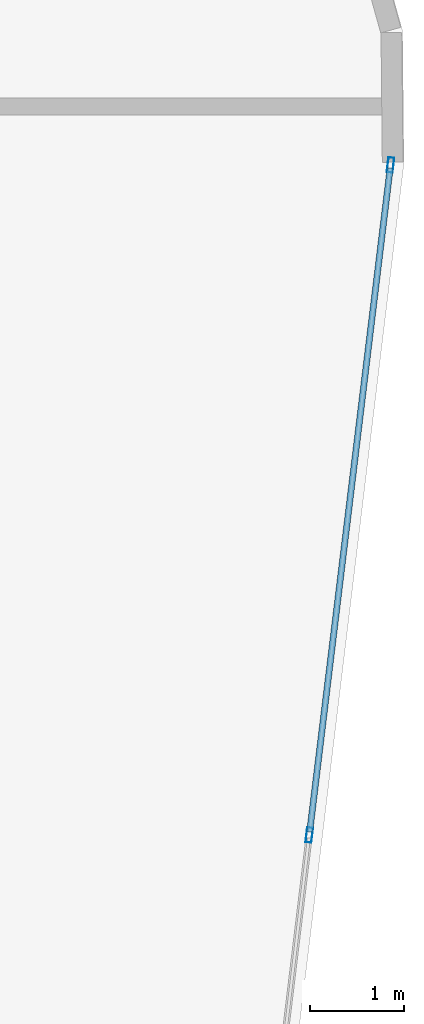
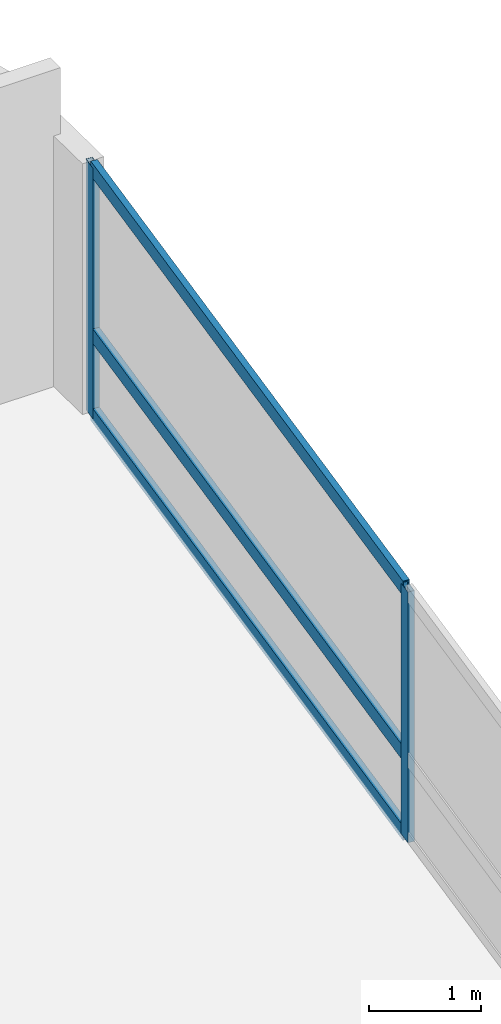
# One storey, part 18 of 26: 5 members, 1 element without a shape of its own.
"""IFC4 building model written with IfcOpenShell, lengths in metres."""

import ifcopenshell
import ifcopenshell.guid

model = None  # the IFC model being written
_history = None  # IfcOwnerHistory: only IFC2X3 demands one
_inside = {}  # id of a spatial element -> (the spatial element, [elements in it])
_under = {}  # id of a project, library or spatial element -> (it, [spatial elements below it])
_declared = {}  # id of a project -> (the project, [libraries it declares])
_typed = {}  # id of a type object -> (the type object, [elements of that type])
_made_of = {}  # id of a material, layer set ... -> (it, [elements and type objects made of it])


def new_model(schema):
    """Start an empty IFC model of exactly this schema.

    Asked for "IFC4X3", IfcOpenShell would pick the latest addendum, in which some entities
    have other attributes; the version numbers below select the first issue.
    IFC2X3 requires an IfcOwnerHistory on every rooted entity: one is made here for all.
    """
    global model, _history
    if schema == "IFC4X3":
        model = ifcopenshell.file(schema_version=(4, 3, 0, 0))
    else:
        model = ifcopenshell.file(schema=schema)
    _inside.clear()
    _under.clear()
    _declared.clear()
    _typed.clear()
    _made_of.clear()
    _history = None
    if model.schema == "IFC2X3":
        org = make("IfcOrganization", Name="unknown")
        user = make(
            "IfcPersonAndOrganization",
            ThePerson=make("IfcPerson", FamilyName="unknown"),
            TheOrganization=org,
        )
        app = make(
            "IfcApplication",
            ApplicationDeveloper=org,
            Version="unknown",
            ApplicationFullName="unknown",
            ApplicationIdentifier="unknown",
        )
        _history = make(
            "IfcOwnerHistory",
            OwningUser=user,
            OwningApplication=app,
            ChangeAction="ADDED",
            CreationDate=0,
        )
    return model


def make(cls, **values):
    """One entity of the class cls with the attributes given. An attribute that is None is left unset."""
    return model.create_entity(
        cls, **{name: value for name, value in values.items() if value is not None}
    )


def rooted(cls, **values):
    """An entity with a GlobalId (a new one), such as an element, a storey or a relation."""
    return make(cls, GlobalId=ifcopenshell.guid.new(), OwnerHistory=_history, **values)


def si_unit(unit_type, name, prefix=None):
    """IfcSIUnit, for example si_unit("LENGTHUNIT", "METRE", prefix="MILLI")."""
    return make("IfcSIUnit", UnitType=unit_type, Prefix=prefix, Name=name)


def assignment(units):
    """IfcUnitAssignment: the units of a project."""
    return None if units is None else make("IfcUnitAssignment", Units=units)


def point(xyz):
    """IfcCartesianPoint."""
    return None if xyz is None else make("IfcCartesianPoint", Coordinates=xyz)


def direction(xyz):
    """IfcDirection."""
    return None if xyz is None else make("IfcDirection", DirectionRatios=xyz)


def frame(location, z_axis=None, x_axis=None):
    """IfcAxis2Placement3D, a coordinate frame: its origin and axes. An axis left out is left unset."""
    return make(
        "IfcAxis2Placement3D",
        Location=point(location),
        Axis=direction(z_axis),
        RefDirection=direction(x_axis),
    )


def frame_2d(location, x_axis=None):
    """IfcAxis2Placement2D, a coordinate frame in the plane: its origin and x axis."""
    return make(
        "IfcAxis2Placement2D", Location=point(location), RefDirection=direction(x_axis)
    )


def origin():
    """The frame at (0, 0, 0) with its axes left unset."""
    return frame((0.0, 0.0, 0.0))


def origin_2d():
    """The frame at (0, 0) in the plane with its x axis left unset."""
    return frame_2d((0.0, 0.0))


def place(relative_to, where):
    """IfcLocalPlacement: puts the frame where relative to a parent placement (None: the world)."""
    return make(
        "IfcLocalPlacement", PlacementRelTo=relative_to, RelativePlacement=where
    )


def context(
    kind, dimensions, precision=None, world=None, true_north=None, identifier=None
):
    """IfcGeometricRepresentationContext, for example the 3D "Model" context."""
    return make(
        "IfcGeometricRepresentationContext",
        ContextIdentifier=identifier,
        ContextType=kind,
        CoordinateSpaceDimension=dimensions,
        Precision=precision,
        WorldCoordinateSystem=world,
        TrueNorth=true_north,
    )


def subcontext(parent, identifier, kind, view, scale=None):
    """IfcGeometricRepresentationSubContext, for example "Body" below "Model"."""
    return make(
        "IfcGeometricRepresentationSubContext",
        ContextIdentifier=identifier,
        ContextType=kind,
        ParentContext=parent,
        TargetScale=scale,
        TargetView=view,
    )


def project(units=None, contexts=None):
    """IfcProject with its units and contexts."""
    return rooted(
        "IfcProject",
        Name="project",
        RepresentationContexts=contexts,
        UnitsInContext=assignment(units),
    )


def spatial(cls, under=None, at=None, **own):
    """A site, building, storey or space (cls), placed at a placement, below another one or the project."""
    s = rooted(cls, ObjectPlacement=at, **own)
    if under is not None:
        _under.setdefault(under.id(), (under, []))[1].append(s)
    return s


def profile(cls, at=None, kind="AREA", **sizes):
    """A parametric profile (cls). Its sizes go by their IFC names, for example OverallWidth=200.0."""
    return make(cls, ProfileType=kind, Position=at, **sizes)


def hollow_rectangle(**sizes):
    """IfcRectangleHollowProfileDef."""
    return profile("IfcRectangleHollowProfileDef", **sizes)


def extrude(swept, where, along, depth):
    """IfcExtrudedAreaSolid: the profile swept, set in the frame where, extruded along a direction by depth."""
    return make(
        "IfcExtrudedAreaSolid",
        SweptArea=swept,
        Position=where,
        ExtrudedDirection=direction(along),
        Depth=depth,
    )


def shape(context_of_items, identifier, shape_type, items):
    """IfcShapeRepresentation: the items that make up one representation, for example the "Body"."""
    return make(
        "IfcShapeRepresentation",
        ContextOfItems=context_of_items,
        RepresentationIdentifier=identifier,
        RepresentationType=shape_type,
        Items=items,
    )


def material(Name=None, Category=None):
    """IfcMaterial."""
    return make("IfcMaterial", Name=Name, Category=Category)


def layer(
    of_material, thickness, ventilated=None, Name=None, Category=None, Priority=None
):
    """IfcMaterialLayer: one layer of a wall or slab, of a material (None: an air gap)."""
    return make(
        "IfcMaterialLayer",
        Material=of_material,
        LayerThickness=thickness,
        IsVentilated=ventilated,
        Name=Name,
        Category=Category,
        Priority=Priority,
    )


def layer_set(layers, Name=None):
    """IfcMaterialLayerSet."""
    return make("IfcMaterialLayerSet", MaterialLayers=layers, LayerSetName=Name)


def material_profile(
    of_material, cross_section, Name=None, Category=None, Priority=None
):
    """IfcMaterialProfile: a cross section and its material."""
    return make(
        "IfcMaterialProfile",
        Name=Name,
        Material=of_material,
        Profile=cross_section,
        Priority=Priority,
        Category=Category,
    )


def profile_set(profiles, Name=None, composite=None):
    """IfcMaterialProfileSet."""
    return make(
        "IfcMaterialProfileSet",
        Name=Name,
        MaterialProfiles=profiles,
        CompositeProfile=composite,
    )


def made_of(thing, what):
    """Note that an element or type object is made of a material, layer set ...; save() writes the relation."""
    if what is not None:
        _made_of.setdefault(what.id(), (what, []))[1].append(thing)
    return thing


def type_object(cls, material=None, **own):
    """A type object (cls), such as IfcWallType, which elements share."""
    return made_of(rooted(cls, **own), material)


def element(
    cls,
    number,
    at=None,
    inside=None,
    cuts=None,
    type_object=None,
    material=None,
    context=None,
    identifier="Body",
    shape_type=None,
    held_by="IfcProductDefinitionShape",
    body=None,
    shapes=None,
    **own,
):
    """One element of the class cls, such as IfcWall. Its Tag is "e" and its number.

    at: its placement. inside: the storey or other place that contains it. cuts: it is an
    opening in that element (IfcRelVoidsElement). A single representation is given by context,
    identifier, shape_type and body (its items); several are given by shapes. held_by: the class
    of the entity that holds the representations. save() writes the other relations.
    """
    e = rooted(cls, Tag="e%d" % number, ObjectPlacement=at, **own)
    if body is not None:
        shapes = [shape(context, identifier, shape_type, body)]
    if shapes is not None:
        e.Representation = make(held_by, Representations=shapes)
    if inside is not None:
        _inside.setdefault(inside.id(), (inside, []))[1].append(e)
    if cuts is not None:
        rooted(
            "IfcRelVoidsElement", RelatingBuildingElement=cuts, RelatedOpeningElement=e
        )
    if type_object is not None:
        _typed.setdefault(type_object.id(), (type_object, []))[1].append(e)
    return made_of(e, material)


def aggregate(whole, parts):
    """IfcRelAggregates: a whole, such as a stair, and the parts it consists of."""
    return rooted("IfcRelAggregates", RelatingObject=whole, RelatedObjects=parts)


def save(model, path):
    """Write the relations noted so far, then the file.

    IfcRelAggregates (storeys below a building ...), IfcRelContainedInSpatialStructure (elements
    in a storey), IfcRelDefinesByType, IfcRelAssociatesMaterial and IfcRelDeclares: one each for
    every whole, place, type object, material and project.
    """
    for whole, parts in _under.values():
        aggregate(whole, parts)
    for where, things in _inside.values():
        rooted(
            "IfcRelContainedInSpatialStructure",
            RelatedElements=things,
            RelatingStructure=where,
        )
    for kind, things in _typed.values():
        rooted("IfcRelDefinesByType", RelatedObjects=things, RelatingType=kind)
    for what, things in _made_of.values():
        rooted("IfcRelAssociatesMaterial", RelatedObjects=things, RelatingMaterial=what)
    for by, libraries in _declared.values():
        rooted("IfcRelDeclares", RelatingContext=by, RelatedDefinitions=libraries)
    model.write(path)


model = new_model("IFC4")

# Units and contexts
model_context = context("Model", 3, precision=1e-05, world=origin(), true_north=direction((0.0, 1.0)))
body_context = subcontext(model_context, "Body", "Model", "MODEL_VIEW")
ifc_project = project(units=[si_unit("LENGTHUNIT", "METRE"), si_unit("AREAUNIT", "SQUARE_METRE"), si_unit("VOLUMEUNIT", "CUBIC_METRE"), si_unit("PLANEANGLEUNIT", "RADIAN"), si_unit("MASSUNIT", "GRAM", prefix="KILO")], contexts=[model_context])

# Site, building, storey
site_placement = place(None, origin())
site = spatial("IfcSite", under=ifc_project, at=site_placement, CompositionType="ELEMENT")
building_placement = place(site_placement, origin())
building = spatial("IfcBuilding", under=site, at=building_placement, Name="Varnelok Gate Tower", CompositionType="ELEMENT")
storey_placement = place(building_placement, frame((0.0, 0.0, 121.699951171875)))
storey = spatial("IfcBuildingStorey", under=building, at=storey_placement, Name="L30", CompositionType="ELEMENT", Elevation=121.699951171875)

# Curtain wall, members
ifc_material = material(Name="Anodized Aluminum Alloy 6063-T6", Category="aluminium")
ifc_layer = layer(ifc_material, 0.179931640625)
ifc_layer_set = layer_set([ifc_layer], Name="Anodized Aluminum Alloy 6063-T6")
curtain_wall_type = type_object("IfcCurtainWallType", Name="CW3-HOTEL-VISION", PredefinedType="USERDEFINED", material=ifc_layer_set)
curtain_wall_placement = place(storey_placement, origin())
curtain_wall = element("IfcCurtainWall", 1, at=curtain_wall_placement, inside=storey, type_object=curtain_wall_type, Name="L30 East End Vision Curtain Wall", ObjectType="UNITISED CURTAIN WALL", PredefinedType="USERDEFINED")
ifc_material_profile_1 = material_profile(ifc_material, hollow_rectangle(XDim=0.06494140625, YDim=0.159912109375, WallThickness=0.00390625, at=origin_2d()), Name="ALU160X65X4")
ifc_profile_set_1 = profile_set([ifc_material_profile_1], Name="Anodized Aluminum Alloy 6063-T6")
member_type_1 = type_object("IfcMemberType", Name="CW-MULL-160", PredefinedType="MULLION", material=ifc_profile_set_1)
member_1_placement = place(storey_placement, frame((78.153076171875, 38.677001953125, 0.0), z_axis=(0.0, 0.0, 1.0), x_axis=(0.99273188146, -0.120347046212, 0.0)))
member_1 = element("IfcMember", 2, at=member_1_placement, type_object=member_type_1, Name="CW3 mullion 1", PredefinedType="MULLION", context=body_context, shape_type="SweptSolid", body=[
    extrude(hollow_rectangle(XDim=0.06494140625, YDim=0.159912109375, WallThickness=0.00390625, at=origin_2d()), origin(), (0.0, 0.0, 1.0), 2.72998046875),
])
member_2_placement = place(storey_placement, frame((77.290283203125, 31.5615234375, 0.0), z_axis=(0.0, 0.0, 1.0), x_axis=(0.99273188146, -0.120347046212, 0.0)))
member_2 = element("IfcMember", 3, at=member_2_placement, type_object=member_type_1, Name="CW3 mullion 2", PredefinedType="MULLION", context=body_context, shape_type="SweptSolid", body=[
    extrude(hollow_rectangle(XDim=0.06494140625, YDim=0.159912109375, WallThickness=0.00390625, at=origin_2d()), origin(), (0.0, 0.0, 1.0), 2.72998046875),
])
ifc_material_profile_2 = material_profile(ifc_material, hollow_rectangle(XDim=0.06494140625, YDim=0.159912109375, WallThickness=0.00390625, at=origin_2d()), Name="ALU160X65X4")
ifc_profile_set_2 = profile_set([ifc_material_profile_2], Name="Anodized Aluminum Alloy 6063-T6")
member_type_2 = type_object("IfcMemberType", Name="CW-TRAN-160", PredefinedType="USERDEFINED", material=ifc_profile_set_2)
member_3_placement = place(storey_placement, frame((78.149169921875, 38.644775390625, 0.032470703125), z_axis=(-0.120374481497, -0.992728555147, 0.0), x_axis=(0.992728555147, -0.120374481497, 0.0)))
member_3 = element("IfcMember", 4, at=member_3_placement, type_object=member_type_2, Name="CW3 transom 1.1", ObjectType="TRANSOM", PredefinedType="USERDEFINED", context=body_context, shape_type="SweptSolid", body=[
    extrude(hollow_rectangle(XDim=0.06494140625, YDim=0.159912109375, WallThickness=0.00390625, at=origin_2d()), origin(), (0.0, 0.0, 1.0), 7.102783203125),
])
member_4_placement = place(storey_placement, frame((78.149169921875, 38.644775390625, 0.900146484375), z_axis=(-0.120374481497, -0.992728555147, 0.0), x_axis=(0.992728555147, -0.120374481497, 0.0)))
member_4 = element("IfcMember", 5, at=member_4_placement, type_object=member_type_2, Name="CW3 transom 1.2", ObjectType="TRANSOM", PredefinedType="USERDEFINED", context=body_context, shape_type="SweptSolid", body=[
    extrude(hollow_rectangle(XDim=0.06494140625, YDim=0.159912109375, WallThickness=0.00390625, at=origin_2d()), origin(), (0.0, 0.0, 1.0), 7.102783203125),
])
member_5_placement = place(storey_placement, frame((78.149169921875, 38.644775390625, 2.697509765625), z_axis=(-0.120374481497, -0.992728555147, 0.0), x_axis=(0.992728555147, -0.120374481497, 0.0)))
member_5 = element("IfcMember", 6, at=member_5_placement, type_object=member_type_2, Name="CW3 transom 1.3", ObjectType="TRANSOM", PredefinedType="USERDEFINED", context=body_context, shape_type="SweptSolid", body=[
    extrude(hollow_rectangle(XDim=0.06494140625, YDim=0.159912109375, WallThickness=0.00390625, at=origin_2d()), origin(), (0.0, 0.0, 1.0), 7.102783203125),
])
aggregate(curtain_wall, [member_1, member_2, member_3, member_4, member_5])

save(model, "model.ifc")
